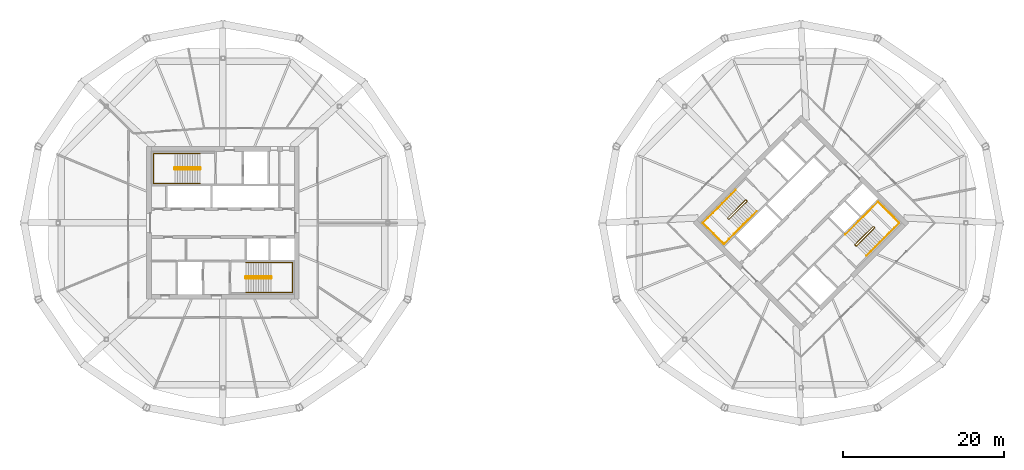
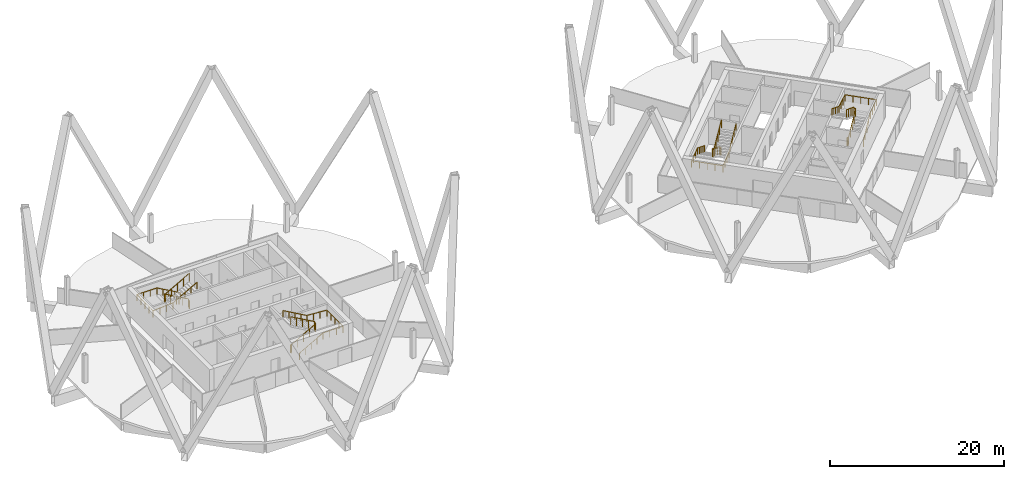
# One storey, part 10 of 10: 8 railings.
"""IFC4 building model written with IfcOpenShell, lengths in metres."""

from ifc_helpers import new_model, si_unit, direction, frame, origin, origin_2d, place, context, subcontext, project, spatial, circle, extrude, material, type_object, element, save


model = new_model("IFC4")

# Units and contexts
model_context = context("Model", 3, precision=1e-05, world=origin(), true_north=direction((0.0, 1.0)))
body_context = subcontext(model_context, "Body", "Model", "MODEL_VIEW")
ifc_project = project(units=[si_unit("LENGTHUNIT", "METRE"), si_unit("AREAUNIT", "SQUARE_METRE"), si_unit("VOLUMEUNIT", "CUBIC_METRE"), si_unit("PLANEANGLEUNIT", "RADIAN"), si_unit("MASSUNIT", "GRAM", prefix="KILO")], contexts=[model_context])

# Site, building, storey
site_placement = place(None, origin())
site = spatial("IfcSite", under=ifc_project, at=site_placement, CompositionType="ELEMENT")
building_placement = place(site_placement, origin())
building = spatial("IfcBuilding", under=site, at=building_placement, Name="Ogive Gate Towers", CompositionType="ELEMENT")
storey_placement = place(building_placement, frame((0.0, 0.0, 181.199951171875)))
storey = spatial("IfcBuildingStorey", under=building, at=storey_placement, Name="L43", CompositionType="ELEMENT", Elevation=181.199951171875)

# Railings
ifc_material = material(Name="Stainless steel", Category="steel")
railing_type_1 = type_object("IfcRailingType", Name="Stair guard 1100", PredefinedType="GUARDRAIL", material=ifc_material)
railing_1_placement = place(storey_placement, frame((-38.81494140625, 6.860107421875, 0.0)))
element("IfcRailing", 1, at=railing_1_placement, inside=storey, type_object=railing_type_1, Name="L43 ST1 stair guard 1", PredefinedType="GUARDRAIL", context=body_context, shape_type="SweptSolid", body=[
    extrude(circle(Radius=0.02392578125, at=origin_2d()), frame((0.0, 0.0, 1.076171875), z_axis=(0.0, -1.0, 0.0), x_axis=(1.0, 0.0, 0.0)), (0.0, 0.0, 1.0), 0.14501953125),
    extrude(circle(Radius=0.02392578125, at=origin_2d()), frame((0.0, -0.14501953125, 1.076171875), z_axis=(-0.186679794065, 0.726685247142, 0.661119660934), x_axis=(-0.968551454522, -0.24881334358, 0.0)), (0.0, 0.0, 1.0), 0.26806640625),
    extrude(circle(Radius=0.02392578125, at=origin_2d()), frame((-0.050048828125, 0.0498046875, 1.25341796875), z_axis=(-0.870572935281, 0.0, 0.492039393094), x_axis=(0.0, -1.0, 0.0)), (0.0, 0.0, 1.0), 3.602783203125),
    extrude(circle(Radius=0.02392578125, at=origin_2d()), frame((-3.1865234375, 0.0498046875, 3.02587890625), z_axis=(-0.707106781187, -0.707106781187, 0.0), x_axis=(0.707106781187, -0.707106781187, 0.0)), (0.0, 0.0, 1.0), 0.0703125),
    extrude(circle(Radius=0.02392578125, at=origin_2d()), frame((-3.236328125, 0.0, 3.02587890625), z_axis=(0.0, -1.0, 0.0), x_axis=(1.0, 0.0, 0.0)), (0.0, 0.0, 1.0), 0.14501953125),
    extrude(circle(Radius=0.02392578125, at=origin_2d()), frame((-3.236328125, -0.14501953125, 3.02587890625), z_axis=(0.260731885961, -0.262009983441, 0.929176868105), x_axis=(0.708833529934, 0.705375805398, 0.0)), (0.0, 0.0, 1.0), 0.19091796875),
    extrude(circle(Radius=0.02392578125, at=origin_2d()), frame((-3.1865234375, -0.195068359375, 3.20361328125), z_axis=(0.870572935281, 0.0, 0.492039393094), x_axis=(0.0, 1.0, 0.0)), (0.0, 0.0, 1.0), 3.602783203125),
    extrude(circle(Radius=0.02099609375, at=origin_2d()), origin(), (0.0, 0.0, 1.0), 1.052001953125),
    extrude(circle(Radius=0.02099609375, at=origin_2d()), frame((0.0, -0.14501953125, 0.0)), (0.0, 0.0, 1.0), 1.052001953125),
    extrude(circle(Radius=0.02099609375, at=origin_2d()), frame((-0.050048828125, 0.0498046875, 0.17724609375)), (0.0, 0.0, 1.0), 1.052001953125),
    extrude(circle(Radius=0.02099609375, at=origin_2d()), frame((-0.834228515625, 0.0498046875, 0.620361328125)), (0.0, 0.0, 1.0), 1.052001953125),
    extrude(circle(Radius=0.02099609375, at=origin_2d()), frame((-1.6181640625, 0.0498046875, 1.0634765625)), (0.0, 0.0, 1.0), 1.052001953125),
    extrude(circle(Radius=0.02099609375, at=origin_2d()), frame((-2.40234375, 0.0498046875, 1.5068359375)), (0.0, 0.0, 1.0), 1.052001953125),
    extrude(circle(Radius=0.02099609375, at=origin_2d()), frame((-3.1865234375, 0.0498046875, 1.949951171875)), (0.0, 0.0, 1.0), 1.052001953125),
    extrude(circle(Radius=0.02099609375, at=origin_2d()), frame((-3.236328125, 0.0, 1.949951171875)), (0.0, 0.0, 1.0), 1.052001953125),
    extrude(circle(Radius=0.02099609375, at=origin_2d()), frame((-3.236328125, -0.14501953125, 1.949951171875)), (0.0, 0.0, 1.0), 1.052001953125),
    extrude(circle(Radius=0.02099609375, at=origin_2d()), frame((-3.1865234375, -0.195068359375, 2.12744140625)), (0.0, 0.0, 1.0), 1.052001953125),
    extrude(circle(Radius=0.02099609375, at=origin_2d()), frame((-2.40234375, -0.195068359375, 2.570556640625)), (0.0, 0.0, 1.0), 1.052001953125),
    extrude(circle(Radius=0.02099609375, at=origin_2d()), frame((-1.6181640625, -0.195068359375, 3.013671875)), (0.0, 0.0, 1.0), 1.052001953125),
    extrude(circle(Radius=0.02099609375, at=origin_2d()), frame((-0.834228515625, -0.195068359375, 3.45703125)), (0.0, 0.0, 1.0), 1.052001953125),
    extrude(circle(Radius=0.02099609375, at=origin_2d()), frame((-0.050048828125, -0.195068359375, 3.900146484375)), (0.0, 0.0, 1.0), 1.052001953125),
])
railing_2_placement = place(storey_placement, frame((-33.18505859375, -6.860107421875, 0.0)))
element("IfcRailing", 2, at=railing_2_placement, inside=storey, type_object=railing_type_1, Name="L43 ST2 stair guard 1", PredefinedType="GUARDRAIL", context=body_context, shape_type="SweptSolid", body=[
    extrude(circle(Radius=0.02392578125, at=origin_2d()), frame((0.0, 0.0, 1.076171875), z_axis=(0.0, 1.0, 0.0), x_axis=(-1.0, 0.0, 0.0)), (0.0, 0.0, 1.0), 0.14501953125),
    extrude(circle(Radius=0.02392578125, at=origin_2d()), frame((0.0, 0.14501953125, 1.076171875), z_axis=(0.186679794065, -0.726685247142, 0.661119660934), x_axis=(0.968551454522, 0.24881334358, 0.0)), (0.0, 0.0, 1.0), 0.26806640625),
    extrude(circle(Radius=0.02392578125, at=origin_2d()), frame((0.050048828125, -0.0498046875, 1.25341796875), z_axis=(0.870572935281, 0.0, 0.492039393094), x_axis=(0.0, 1.0, 0.0)), (0.0, 0.0, 1.0), 3.602783203125),
    extrude(circle(Radius=0.02392578125, at=origin_2d()), frame((3.1865234375, -0.0498046875, 3.02587890625), z_axis=(0.707106781187, 0.707106781187, 0.0), x_axis=(-0.707106781187, 0.707106781187, 0.0)), (0.0, 0.0, 1.0), 0.0703125),
    extrude(circle(Radius=0.02392578125, at=origin_2d()), frame((3.236328125, 0.0, 3.02587890625), z_axis=(0.0, 1.0, 0.0), x_axis=(-1.0, 0.0, 0.0)), (0.0, 0.0, 1.0), 0.14501953125),
    extrude(circle(Radius=0.02392578125, at=origin_2d()), frame((3.236328125, 0.14501953125, 3.02587890625), z_axis=(-0.260731885961, 0.262009983441, 0.929176868105), x_axis=(-0.708833529934, -0.705375805398, 0.0)), (0.0, 0.0, 1.0), 0.19091796875),
    extrude(circle(Radius=0.02392578125, at=origin_2d()), frame((3.1865234375, 0.195068359375, 3.20361328125), z_axis=(-0.870572935281, 0.0, 0.492039393094), x_axis=(0.0, -1.0, 0.0)), (0.0, 0.0, 1.0), 3.602783203125),
    extrude(circle(Radius=0.02099609375, at=origin_2d()), origin(), (0.0, 0.0, 1.0), 1.052001953125),
    extrude(circle(Radius=0.02099609375, at=origin_2d()), frame((0.0, 0.14501953125, 0.0)), (0.0, 0.0, 1.0), 1.052001953125),
    extrude(circle(Radius=0.02099609375, at=origin_2d()), frame((0.050048828125, -0.0498046875, 0.17724609375)), (0.0, 0.0, 1.0), 1.052001953125),
    extrude(circle(Radius=0.02099609375, at=origin_2d()), frame((0.834228515625, -0.0498046875, 0.620361328125)), (0.0, 0.0, 1.0), 1.052001953125),
    extrude(circle(Radius=0.02099609375, at=origin_2d()), frame((1.6181640625, -0.0498046875, 1.0634765625)), (0.0, 0.0, 1.0), 1.052001953125),
    extrude(circle(Radius=0.02099609375, at=origin_2d()), frame((2.40234375, -0.0498046875, 1.5068359375)), (0.0, 0.0, 1.0), 1.052001953125),
    extrude(circle(Radius=0.02099609375, at=origin_2d()), frame((3.1865234375, -0.0498046875, 1.949951171875)), (0.0, 0.0, 1.0), 1.052001953125),
    extrude(circle(Radius=0.02099609375, at=origin_2d()), frame((3.236328125, 0.0, 1.949951171875)), (0.0, 0.0, 1.0), 1.052001953125),
    extrude(circle(Radius=0.02099609375, at=origin_2d()), frame((3.236328125, 0.14501953125, 1.949951171875)), (0.0, 0.0, 1.0), 1.052001953125),
    extrude(circle(Radius=0.02099609375, at=origin_2d()), frame((3.1865234375, 0.195068359375, 2.12744140625)), (0.0, 0.0, 1.0), 1.052001953125),
    extrude(circle(Radius=0.02099609375, at=origin_2d()), frame((2.40234375, 0.195068359375, 2.570556640625)), (0.0, 0.0, 1.0), 1.052001953125),
    extrude(circle(Radius=0.02099609375, at=origin_2d()), frame((1.6181640625, 0.195068359375, 3.013671875)), (0.0, 0.0, 1.0), 1.052001953125),
    extrude(circle(Radius=0.02099609375, at=origin_2d()), frame((0.834228515625, 0.195068359375, 3.45703125)), (0.0, 0.0, 1.0), 1.052001953125),
    extrude(circle(Radius=0.02099609375, at=origin_2d()), frame((0.050048828125, 0.195068359375, 3.900146484375)), (0.0, 0.0, 1.0), 1.052001953125),
])
railing_3_placement = place(storey_placement, frame((29.15869140625, 2.8603515625, 0.0)))
element("IfcRailing", 3, at=railing_3_placement, inside=storey, type_object=railing_type_1, Name="L43 ST1 stair guard 1", PredefinedType="GUARDRAIL", context=body_context, shape_type="SweptSolid", body=[
    extrude(circle(Radius=0.02392578125, at=origin_2d()), frame((0.0, 0.0, 1.076171875), z_axis=(0.707106781187, -0.707106781187, 0.0), x_axis=(0.707106781187, 0.707106781187, 0.0)), (0.0, 0.0, 1.0), 0.14501953125),
    extrude(circle(Radius=0.02392578125, at=origin_2d()), frame((0.1025390625, -0.1025390625, 1.076171875), z_axis=(-0.645571447971, 0.382425963537, 0.661050594114), x_axis=(-0.509669330572, -0.860370369942, 0.0)), (0.0, 0.0, 1.0), 0.26806640625),
    extrude(circle(Radius=0.02392578125, at=origin_2d()), frame((-0.070556640625, 0.0, 1.25341796875), z_axis=(-0.61558473135, -0.61558473135, 0.49204763698), x_axis=(0.707106781187, -0.707106781187, 0.0)), (0.0, 0.0, 1.0), 3.602783203125),
    extrude(circle(Radius=0.02392578125, at=origin_2d()), frame((-2.288330078125, -2.2177734375, 3.02587890625), z_axis=(0.0, -1.0, 0.0), x_axis=(1.0, 0.0, 0.0)), (0.0, 0.0, 1.0), 0.07080078125),
    extrude(circle(Radius=0.02392578125, at=origin_2d()), frame((-2.288330078125, -2.28857421875, 3.02587890625), z_axis=(0.707106781187, -0.707106781187, 0.0), x_axis=(0.707106781187, 0.707106781187, 0.0)), (0.0, 0.0, 1.0), 0.14501953125),
    extrude(circle(Radius=0.02392578125, at=origin_2d()), frame((-2.185791015625, -2.39111328125, 3.02587890625), z_axis=(0.369406379806, 0.0, 0.92926795197), x_axis=(0.0, 1.0, 0.0)), (0.0, 0.0, 1.0), 0.19091796875),
    extrude(circle(Radius=0.02392578125, at=origin_2d()), frame((-2.115234375, -2.39111328125, 3.20361328125), z_axis=(0.61558473135, 0.61558473135, 0.49204763698), x_axis=(-0.707106781187, 0.707106781187, 0.0)), (0.0, 0.0, 1.0), 3.602783203125),
    extrude(circle(Radius=0.02099609375, at=origin_2d()), origin(), (0.0, 0.0, 1.0), 1.052001953125),
    extrude(circle(Radius=0.02099609375, at=origin_2d()), frame((0.1025390625, -0.1025390625, 0.0)), (0.0, 0.0, 1.0), 1.052001953125),
    extrude(circle(Radius=0.02099609375, at=origin_2d()), frame((-0.070556640625, 0.0, 0.17724609375)), (0.0, 0.0, 1.0), 1.052001953125),
    extrude(circle(Radius=0.02099609375, at=origin_2d()), frame((-0.625, -0.554443359375, 0.620361328125)), (0.0, 0.0, 1.0), 1.052001953125),
    extrude(circle(Radius=0.02099609375, at=origin_2d()), frame((-1.179443359375, -1.10888671875, 1.0634765625)), (0.0, 0.0, 1.0), 1.052001953125),
    extrude(circle(Radius=0.02099609375, at=origin_2d()), frame((-1.73388671875, -1.663330078125, 1.5068359375)), (0.0, 0.0, 1.0), 1.052001953125),
    extrude(circle(Radius=0.02099609375, at=origin_2d()), frame((-2.288330078125, -2.2177734375, 1.949951171875)), (0.0, 0.0, 1.0), 1.052001953125),
    extrude(circle(Radius=0.02099609375, at=origin_2d()), frame((-2.288330078125, -2.28857421875, 1.949951171875)), (0.0, 0.0, 1.0), 1.052001953125),
    extrude(circle(Radius=0.02099609375, at=origin_2d()), frame((-2.185791015625, -2.39111328125, 1.949951171875)), (0.0, 0.0, 1.0), 1.052001953125),
    extrude(circle(Radius=0.02099609375, at=origin_2d()), frame((-2.115234375, -2.39111328125, 2.12744140625)), (0.0, 0.0, 1.0), 1.052001953125),
    extrude(circle(Radius=0.02099609375, at=origin_2d()), frame((-1.560791015625, -1.836669921875, 2.570556640625)), (0.0, 0.0, 1.0), 1.052001953125),
    extrude(circle(Radius=0.02099609375, at=origin_2d()), frame((-1.00634765625, -1.2822265625, 3.013671875)), (0.0, 0.0, 1.0), 1.052001953125),
    extrude(circle(Radius=0.02099609375, at=origin_2d()), frame((-0.451904296875, -0.727783203125, 3.45703125)), (0.0, 0.0, 1.0), 1.052001953125),
    extrude(circle(Radius=0.02099609375, at=origin_2d()), frame((0.1025390625, -0.17333984375, 3.900146484375)), (0.0, 0.0, 1.0), 1.052001953125),
])
railing_4_placement = place(storey_placement, frame((42.84130859375, -2.8603515625, 0.0)))
element("IfcRailing", 4, at=railing_4_placement, inside=storey, type_object=railing_type_1, Name="L43 ST2 stair guard 1", PredefinedType="GUARDRAIL", context=body_context, shape_type="SweptSolid", body=[
    extrude(circle(Radius=0.02392578125, at=origin_2d()), frame((0.0, 0.0, 1.076171875), z_axis=(-0.707106781187, 0.707106781187, 0.0), x_axis=(-0.707106781187, -0.707106781187, 0.0)), (0.0, 0.0, 1.0), 0.14501953125),
    extrude(circle(Radius=0.02392578125, at=origin_2d()), frame((-0.1025390625, 0.1025390625, 1.076171875), z_axis=(0.645571447971, -0.382425963537, 0.661050594114), x_axis=(0.509669330572, 0.860370369942, 0.0)), (0.0, 0.0, 1.0), 0.26806640625),
    extrude(circle(Radius=0.02392578125, at=origin_2d()), frame((0.070556640625, 0.0, 1.25341796875), z_axis=(0.61558473135, 0.61558473135, 0.49204763698), x_axis=(-0.707106781187, 0.707106781187, 0.0)), (0.0, 0.0, 1.0), 3.602783203125),
    extrude(circle(Radius=0.02392578125, at=origin_2d()), frame((2.288330078125, 2.2177734375, 3.02587890625), z_axis=(0.0, 1.0, 0.0), x_axis=(-1.0, 0.0, 0.0)), (0.0, 0.0, 1.0), 0.07080078125),
    extrude(circle(Radius=0.02392578125, at=origin_2d()), frame((2.288330078125, 2.28857421875, 3.02587890625), z_axis=(-0.707106781187, 0.707106781187, 0.0), x_axis=(-0.707106781187, -0.707106781187, 0.0)), (0.0, 0.0, 1.0), 0.14501953125),
    extrude(circle(Radius=0.02392578125, at=origin_2d()), frame((2.185791015625, 2.39111328125, 3.02587890625), z_axis=(-0.369406379806, 0.0, 0.92926795197), x_axis=(0.0, -1.0, 0.0)), (0.0, 0.0, 1.0), 0.19091796875),
    extrude(circle(Radius=0.02392578125, at=origin_2d()), frame((2.115234375, 2.39111328125, 3.20361328125), z_axis=(-0.61558473135, -0.61558473135, 0.49204763698), x_axis=(0.707106781187, -0.707106781187, 0.0)), (0.0, 0.0, 1.0), 3.602783203125),
    extrude(circle(Radius=0.02099609375, at=origin_2d()), origin(), (0.0, 0.0, 1.0), 1.052001953125),
    extrude(circle(Radius=0.02099609375, at=origin_2d()), frame((-0.1025390625, 0.1025390625, 0.0)), (0.0, 0.0, 1.0), 1.052001953125),
    extrude(circle(Radius=0.02099609375, at=origin_2d()), frame((0.070556640625, 0.0, 0.17724609375)), (0.0, 0.0, 1.0), 1.052001953125),
    extrude(circle(Radius=0.02099609375, at=origin_2d()), frame((0.625, 0.554443359375, 0.620361328125)), (0.0, 0.0, 1.0), 1.052001953125),
    extrude(circle(Radius=0.02099609375, at=origin_2d()), frame((1.179443359375, 1.10888671875, 1.0634765625)), (0.0, 0.0, 1.0), 1.052001953125),
    extrude(circle(Radius=0.02099609375, at=origin_2d()), frame((1.73388671875, 1.663330078125, 1.5068359375)), (0.0, 0.0, 1.0), 1.052001953125),
    extrude(circle(Radius=0.02099609375, at=origin_2d()), frame((2.288330078125, 2.2177734375, 1.949951171875)), (0.0, 0.0, 1.0), 1.052001953125),
    extrude(circle(Radius=0.02099609375, at=origin_2d()), frame((2.288330078125, 2.28857421875, 1.949951171875)), (0.0, 0.0, 1.0), 1.052001953125),
    extrude(circle(Radius=0.02099609375, at=origin_2d()), frame((2.185791015625, 2.39111328125, 1.949951171875)), (0.0, 0.0, 1.0), 1.052001953125),
    extrude(circle(Radius=0.02099609375, at=origin_2d()), frame((2.115234375, 2.39111328125, 2.12744140625)), (0.0, 0.0, 1.0), 1.052001953125),
    extrude(circle(Radius=0.02099609375, at=origin_2d()), frame((1.560791015625, 1.836669921875, 2.570556640625)), (0.0, 0.0, 1.0), 1.052001953125),
    extrude(circle(Radius=0.02099609375, at=origin_2d()), frame((1.00634765625, 1.2822265625, 3.013671875)), (0.0, 0.0, 1.0), 1.052001953125),
    extrude(circle(Radius=0.02099609375, at=origin_2d()), frame((0.451904296875, 0.727783203125, 3.45703125)), (0.0, 0.0, 1.0), 1.052001953125),
    extrude(circle(Radius=0.02099609375, at=origin_2d()), frame((-0.1025390625, 0.17333984375, 3.900146484375)), (0.0, 0.0, 1.0), 1.052001953125),
])
railing_type_2 = type_object("IfcRailingType", Name="Stair handrail 900", PredefinedType="HANDRAIL", material=ifc_material)
railing_5_placement = place(storey_placement, frame((-38.864990234375, 8.64990234375, 0.17724609375)))
element("IfcRailing", 5, at=railing_5_placement, inside=storey, type_object=railing_type_2, Name="L43 ST1 stair handrail 1", PredefinedType="HANDRAIL", context=body_context, shape_type="SweptSolid", body=[
    extrude(circle(Radius=0.02392578125, at=origin_2d()), frame((0.0, 0.0, 0.8759765625), z_axis=(-0.870572935281, 0.0, 0.492039393094), x_axis=(0.0, -1.0, 0.0)), (0.0, 0.0, 1.0), 3.602783203125),
    extrude(circle(Radius=0.02392578125, at=origin_2d()), frame((-3.136474609375, 0.0, 2.6484375), z_axis=(-1.0, 0.0, 0.0), x_axis=(0.0, -1.0, 0.0)), (0.0, 0.0, 1.0), 2.6484375),
    extrude(circle(Radius=0.02392578125, at=origin_2d()), frame((-5.784912109375, 0.0, 2.6484375), z_axis=(0.0, -1.0, 0.0), x_axis=(1.0, 0.0, 0.0)), (0.0, 0.0, 1.0), 3.724853515625),
    extrude(circle(Radius=0.02392578125, at=origin_2d()), frame((-5.784912109375, -3.724853515625, 2.6484375), z_axis=(0.997761899551, 0.0, 0.06686697096), x_axis=(0.0, 1.0, 0.0)), (0.0, 0.0, 1.0), 2.654296875),
    extrude(circle(Radius=0.02392578125, at=origin_2d()), frame((-3.136474609375, -3.724853515625, 2.826171875), z_axis=(0.870572935281, 0.0, 0.492039393094), x_axis=(0.0, 1.0, 0.0)), (0.0, 0.0, 1.0), 3.602783203125),
    extrude(circle(Radius=0.02099609375, at=origin_2d()), origin(), (0.0, 0.0, 1.0), 0.851806640625),
    extrude(circle(Radius=0.02099609375, at=origin_2d()), frame((-0.7841796875, 0.0, 0.443115234375)), (0.0, 0.0, 1.0), 0.851806640625),
    extrude(circle(Radius=0.02099609375, at=origin_2d()), frame((-1.568359375, 0.0, 0.88623046875)), (0.0, 0.0, 1.0), 0.851806640625),
    extrude(circle(Radius=0.02099609375, at=origin_2d()), frame((-2.352294921875, 0.0, 1.32958984375)), (0.0, 0.0, 1.0), 0.851806640625),
    extrude(circle(Radius=0.02099609375, at=origin_2d()), frame((-3.136474609375, 0.0, 1.772705078125)), (0.0, 0.0, 1.0), 0.851806640625),
    extrude(circle(Radius=0.02099609375, at=origin_2d()), frame((-4.019287109375, 0.0, 1.772705078125)), (0.0, 0.0, 1.0), 0.851806640625),
    extrude(circle(Radius=0.02099609375, at=origin_2d()), frame((-4.902099609375, 0.0, 1.772705078125)), (0.0, 0.0, 1.0), 0.851806640625),
    extrude(circle(Radius=0.02099609375, at=origin_2d()), frame((-5.784912109375, 0.0, 1.772705078125)), (0.0, 0.0, 1.0), 0.851806640625),
    extrude(circle(Radius=0.02099609375, at=origin_2d()), frame((-5.784912109375, -0.93115234375, 1.772705078125)), (0.0, 0.0, 1.0), 0.851806640625),
    extrude(circle(Radius=0.02099609375, at=origin_2d()), frame((-5.784912109375, -1.8623046875, 1.772705078125)), (0.0, 0.0, 1.0), 0.851806640625),
    extrude(circle(Radius=0.02099609375, at=origin_2d()), frame((-5.784912109375, -2.793701171875, 1.772705078125)), (0.0, 0.0, 1.0), 0.851806640625),
    extrude(circle(Radius=0.02099609375, at=origin_2d()), frame((-5.784912109375, -3.724853515625, 1.772705078125)), (0.0, 0.0, 1.0), 0.851806640625),
    extrude(circle(Radius=0.02099609375, at=origin_2d()), frame((-4.902099609375, -3.724853515625, 1.831787109375)), (0.0, 0.0, 1.0), 0.851806640625),
    extrude(circle(Radius=0.02099609375, at=origin_2d()), frame((-4.019287109375, -3.724853515625, 1.89111328125)), (0.0, 0.0, 1.0), 0.851806640625),
    extrude(circle(Radius=0.02099609375, at=origin_2d()), frame((-3.136474609375, -3.724853515625, 1.9501953125)), (0.0, 0.0, 1.0), 0.851806640625),
    extrude(circle(Radius=0.02099609375, at=origin_2d()), frame((-2.352294921875, -3.724853515625, 2.393310546875)), (0.0, 0.0, 1.0), 0.851806640625),
    extrude(circle(Radius=0.02099609375, at=origin_2d()), frame((-1.568359375, -3.724853515625, 2.83642578125)), (0.0, 0.0, 1.0), 0.851806640625),
    extrude(circle(Radius=0.02099609375, at=origin_2d()), frame((-0.7841796875, -3.724853515625, 3.27978515625)), (0.0, 0.0, 1.0), 0.851806640625),
    extrude(circle(Radius=0.02099609375, at=origin_2d()), frame((0.0, -3.724853515625, 3.722900390625)), (0.0, 0.0, 1.0), 0.851806640625),
])
railing_6_placement = place(storey_placement, frame((-33.135009765625, -8.64990234375, 0.17724609375)))
element("IfcRailing", 6, at=railing_6_placement, inside=storey, type_object=railing_type_2, Name="L43 ST2 stair handrail 1", PredefinedType="HANDRAIL", context=body_context, shape_type="SweptSolid", body=[
    extrude(circle(Radius=0.02392578125, at=origin_2d()), frame((0.0, 0.0, 0.8759765625), z_axis=(0.870572935281, 0.0, 0.492039393094), x_axis=(0.0, 1.0, 0.0)), (0.0, 0.0, 1.0), 3.602783203125),
    extrude(circle(Radius=0.02392578125, at=origin_2d()), frame((3.136474609375, 0.0, 2.6484375), z_axis=(1.0, 0.0, 0.0), x_axis=(0.0, 1.0, 0.0)), (0.0, 0.0, 1.0), 2.6484375),
    extrude(circle(Radius=0.02392578125, at=origin_2d()), frame((5.784912109375, 0.0, 2.6484375), z_axis=(0.0, 1.0, 0.0), x_axis=(-1.0, 0.0, 0.0)), (0.0, 0.0, 1.0), 3.724853515625),
    extrude(circle(Radius=0.02392578125, at=origin_2d()), frame((5.784912109375, 3.724853515625, 2.6484375), z_axis=(-0.997761899551, 0.0, 0.06686697096), x_axis=(0.0, -1.0, 0.0)), (0.0, 0.0, 1.0), 2.654296875),
    extrude(circle(Radius=0.02392578125, at=origin_2d()), frame((3.136474609375, 3.724853515625, 2.826171875), z_axis=(-0.870572935281, 0.0, 0.492039393094), x_axis=(0.0, -1.0, 0.0)), (0.0, 0.0, 1.0), 3.602783203125),
    extrude(circle(Radius=0.02099609375, at=origin_2d()), origin(), (0.0, 0.0, 1.0), 0.851806640625),
    extrude(circle(Radius=0.02099609375, at=origin_2d()), frame((0.7841796875, 0.0, 0.443115234375)), (0.0, 0.0, 1.0), 0.851806640625),
    extrude(circle(Radius=0.02099609375, at=origin_2d()), frame((1.568359375, 0.0, 0.88623046875)), (0.0, 0.0, 1.0), 0.851806640625),
    extrude(circle(Radius=0.02099609375, at=origin_2d()), frame((2.352294921875, 0.0, 1.32958984375)), (0.0, 0.0, 1.0), 0.851806640625),
    extrude(circle(Radius=0.02099609375, at=origin_2d()), frame((3.136474609375, 0.0, 1.772705078125)), (0.0, 0.0, 1.0), 0.851806640625),
    extrude(circle(Radius=0.02099609375, at=origin_2d()), frame((4.019287109375, 0.0, 1.772705078125)), (0.0, 0.0, 1.0), 0.851806640625),
    extrude(circle(Radius=0.02099609375, at=origin_2d()), frame((4.902099609375, 0.0, 1.772705078125)), (0.0, 0.0, 1.0), 0.851806640625),
    extrude(circle(Radius=0.02099609375, at=origin_2d()), frame((5.784912109375, 0.0, 1.772705078125)), (0.0, 0.0, 1.0), 0.851806640625),
    extrude(circle(Radius=0.02099609375, at=origin_2d()), frame((5.784912109375, 0.93115234375, 1.772705078125)), (0.0, 0.0, 1.0), 0.851806640625),
    extrude(circle(Radius=0.02099609375, at=origin_2d()), frame((5.784912109375, 1.8623046875, 1.772705078125)), (0.0, 0.0, 1.0), 0.851806640625),
    extrude(circle(Radius=0.02099609375, at=origin_2d()), frame((5.784912109375, 2.793701171875, 1.772705078125)), (0.0, 0.0, 1.0), 0.851806640625),
    extrude(circle(Radius=0.02099609375, at=origin_2d()), frame((5.784912109375, 3.724853515625, 1.772705078125)), (0.0, 0.0, 1.0), 0.851806640625),
    extrude(circle(Radius=0.02099609375, at=origin_2d()), frame((4.902099609375, 3.724853515625, 1.831787109375)), (0.0, 0.0, 1.0), 0.851806640625),
    extrude(circle(Radius=0.02099609375, at=origin_2d()), frame((4.019287109375, 3.724853515625, 1.89111328125)), (0.0, 0.0, 1.0), 0.851806640625),
    extrude(circle(Radius=0.02099609375, at=origin_2d()), frame((3.136474609375, 3.724853515625, 1.9501953125)), (0.0, 0.0, 1.0), 0.851806640625),
    extrude(circle(Radius=0.02099609375, at=origin_2d()), frame((2.352294921875, 3.724853515625, 2.393310546875)), (0.0, 0.0, 1.0), 0.851806640625),
    extrude(circle(Radius=0.02099609375, at=origin_2d()), frame((1.568359375, 3.724853515625, 2.83642578125)), (0.0, 0.0, 1.0), 0.851806640625),
    extrude(circle(Radius=0.02099609375, at=origin_2d()), frame((0.7841796875, 3.724853515625, 3.27978515625)), (0.0, 0.0, 1.0), 0.851806640625),
    extrude(circle(Radius=0.02099609375, at=origin_2d()), frame((0.0, 3.724853515625, 3.722900390625)), (0.0, 0.0, 1.0), 0.851806640625),
])
railing_7_placement = place(storey_placement, frame((27.857666015625, 4.090576171875, 0.17724609375)))
element("IfcRailing", 7, at=railing_7_placement, inside=storey, type_object=railing_type_2, Name="L43 ST1 stair handrail 1", PredefinedType="HANDRAIL", context=body_context, shape_type="SweptSolid", body=[
    extrude(circle(Radius=0.02392578125, at=origin_2d()), frame((0.0, 0.0, 0.8759765625), z_axis=(-0.61558473135, -0.61558473135, 0.49204763698), x_axis=(0.707106781187, -0.707106781187, 0.0)), (0.0, 0.0, 1.0), 3.602783203125),
    extrude(circle(Radius=0.02392578125, at=origin_2d()), frame((-2.2177734375, -2.2177734375, 2.6484375), z_axis=(-0.707106781187, -0.707106781187, 0.0), x_axis=(0.707106781187, -0.707106781187, 0.0)), (0.0, 0.0, 1.0), 2.6484375),
    extrude(circle(Radius=0.02392578125, at=origin_2d()), frame((-4.090576171875, -4.090576171875, 2.6484375), z_axis=(0.707106781187, -0.707106781187, 0.0), x_axis=(0.707106781187, 0.707106781187, 0.0)), (0.0, 0.0, 1.0), 3.72509765625),
    extrude(circle(Radius=0.02392578125, at=origin_2d()), frame((-1.45654296875, -6.724609375, 2.6484375), z_axis=(0.705478551472, 0.705570518432, 0.066859980044), x_axis=(-0.70715286629, 0.70706069308, 0.0)), (0.0, 0.0, 1.0), 2.654541015625),
    extrude(circle(Radius=0.02392578125, at=origin_2d()), frame((0.416259765625, -4.8515625, 2.826171875), z_axis=(0.615610411033, 0.615542642384, 0.4920681632), x_axis=(-0.70706785752, 0.70714570271, 0.0)), (0.0, 0.0, 1.0), 3.6025390625),
    extrude(circle(Radius=0.02099609375, at=origin_2d()), origin(), (0.0, 0.0, 1.0), 0.851806640625),
    extrude(circle(Radius=0.02099609375, at=origin_2d()), frame((-0.554443359375, -0.554443359375, 0.443115234375)), (0.0, 0.0, 1.0), 0.851806640625),
    extrude(circle(Radius=0.02099609375, at=origin_2d()), frame((-1.10888671875, -1.10888671875, 0.88623046875)), (0.0, 0.0, 1.0), 0.851806640625),
    extrude(circle(Radius=0.02099609375, at=origin_2d()), frame((-1.663330078125, -1.663330078125, 1.32958984375)), (0.0, 0.0, 1.0), 0.851806640625),
    extrude(circle(Radius=0.02099609375, at=origin_2d()), frame((-2.2177734375, -2.2177734375, 1.772705078125)), (0.0, 0.0, 1.0), 0.851806640625),
    extrude(circle(Radius=0.02099609375, at=origin_2d()), frame((-2.842041015625, -2.842041015625, 1.772705078125)), (0.0, 0.0, 1.0), 0.851806640625),
    extrude(circle(Radius=0.02099609375, at=origin_2d()), frame((-3.46630859375, -3.46630859375, 1.772705078125)), (0.0, 0.0, 1.0), 0.851806640625),
    extrude(circle(Radius=0.02099609375, at=origin_2d()), frame((-4.090576171875, -4.090576171875, 1.772705078125)), (0.0, 0.0, 1.0), 0.851806640625),
    extrude(circle(Radius=0.02099609375, at=origin_2d()), frame((-3.43212890625, -4.7490234375, 1.772705078125)), (0.0, 0.0, 1.0), 0.851806640625),
    extrude(circle(Radius=0.02099609375, at=origin_2d()), frame((-2.7734375, -5.40771484375, 1.772705078125)), (0.0, 0.0, 1.0), 0.851806640625),
    extrude(circle(Radius=0.02099609375, at=origin_2d()), frame((-2.114990234375, -6.066162109375, 1.772705078125)), (0.0, 0.0, 1.0), 0.851806640625),
    extrude(circle(Radius=0.02099609375, at=origin_2d()), frame((-1.45654296875, -6.724609375, 1.772705078125)), (0.0, 0.0, 1.0), 0.851806640625),
    extrude(circle(Radius=0.02099609375, at=origin_2d()), frame((-0.832275390625, -6.100341796875, 1.831787109375)), (0.0, 0.0, 1.0), 0.851806640625),
    extrude(circle(Radius=0.02099609375, at=origin_2d()), frame((-0.2080078125, -5.475830078125, 1.89111328125)), (0.0, 0.0, 1.0), 0.851806640625),
    extrude(circle(Radius=0.02099609375, at=origin_2d()), frame((0.416259765625, -4.8515625, 1.9501953125)), (0.0, 0.0, 1.0), 0.851806640625),
    extrude(circle(Radius=0.02099609375, at=origin_2d()), frame((0.970703125, -4.297119140625, 2.393310546875)), (0.0, 0.0, 1.0), 0.851806640625),
    extrude(circle(Radius=0.02099609375, at=origin_2d()), frame((1.525146484375, -3.74267578125, 2.83642578125)), (0.0, 0.0, 1.0), 0.851806640625),
    extrude(circle(Radius=0.02099609375, at=origin_2d()), frame((2.07958984375, -3.1884765625, 3.27978515625)), (0.0, 0.0, 1.0), 0.851806640625),
    extrude(circle(Radius=0.02099609375, at=origin_2d()), frame((2.634033203125, -2.634033203125, 3.722900390625)), (0.0, 0.0, 1.0), 0.851806640625),
])
railing_8_placement = place(storey_placement, frame((44.142333984375, -4.090576171875, 0.17724609375)))
element("IfcRailing", 8, at=railing_8_placement, inside=storey, type_object=railing_type_2, Name="L43 ST2 stair handrail 1", PredefinedType="HANDRAIL", context=body_context, shape_type="SweptSolid", body=[
    extrude(circle(Radius=0.02392578125, at=origin_2d()), frame((0.0, 0.0, 0.8759765625), z_axis=(0.61558473135, 0.61558473135, 0.49204763698), x_axis=(-0.707106781187, 0.707106781187, 0.0)), (0.0, 0.0, 1.0), 3.602783203125),
    extrude(circle(Radius=0.02392578125, at=origin_2d()), frame((2.2177734375, 2.2177734375, 2.6484375), z_axis=(0.707106781187, 0.707106781187, 0.0), x_axis=(-0.707106781187, 0.707106781187, 0.0)), (0.0, 0.0, 1.0), 2.6484375),
    extrude(circle(Radius=0.02392578125, at=origin_2d()), frame((4.090576171875, 4.090576171875, 2.6484375), z_axis=(-0.707106781187, 0.707106781187, 0.0), x_axis=(-0.707106781187, -0.707106781187, 0.0)), (0.0, 0.0, 1.0), 3.72509765625),
    extrude(circle(Radius=0.02392578125, at=origin_2d()), frame((1.45654296875, 6.724609375, 2.6484375), z_axis=(-0.705478551472, -0.705570518432, 0.066859980044), x_axis=(0.70715286629, -0.70706069308, 0.0)), (0.0, 0.0, 1.0), 2.654541015625),
    extrude(circle(Radius=0.02392578125, at=origin_2d()), frame((-0.416259765625, 4.8515625, 2.826171875), z_axis=(-0.615610411033, -0.615542642384, 0.4920681632), x_axis=(0.70706785752, -0.70714570271, 0.0)), (0.0, 0.0, 1.0), 3.6025390625),
    extrude(circle(Radius=0.02099609375, at=origin_2d()), origin(), (0.0, 0.0, 1.0), 0.851806640625),
    extrude(circle(Radius=0.02099609375, at=origin_2d()), frame((0.554443359375, 0.554443359375, 0.443115234375)), (0.0, 0.0, 1.0), 0.851806640625),
    extrude(circle(Radius=0.02099609375, at=origin_2d()), frame((1.10888671875, 1.10888671875, 0.88623046875)), (0.0, 0.0, 1.0), 0.851806640625),
    extrude(circle(Radius=0.02099609375, at=origin_2d()), frame((1.663330078125, 1.663330078125, 1.32958984375)), (0.0, 0.0, 1.0), 0.851806640625),
    extrude(circle(Radius=0.02099609375, at=origin_2d()), frame((2.2177734375, 2.2177734375, 1.772705078125)), (0.0, 0.0, 1.0), 0.851806640625),
    extrude(circle(Radius=0.02099609375, at=origin_2d()), frame((2.842041015625, 2.842041015625, 1.772705078125)), (0.0, 0.0, 1.0), 0.851806640625),
    extrude(circle(Radius=0.02099609375, at=origin_2d()), frame((3.46630859375, 3.46630859375, 1.772705078125)), (0.0, 0.0, 1.0), 0.851806640625),
    extrude(circle(Radius=0.02099609375, at=origin_2d()), frame((4.090576171875, 4.090576171875, 1.772705078125)), (0.0, 0.0, 1.0), 0.851806640625),
    extrude(circle(Radius=0.02099609375, at=origin_2d()), frame((3.43212890625, 4.7490234375, 1.772705078125)), (0.0, 0.0, 1.0), 0.851806640625),
    extrude(circle(Radius=0.02099609375, at=origin_2d()), frame((2.7734375, 5.40771484375, 1.772705078125)), (0.0, 0.0, 1.0), 0.851806640625),
    extrude(circle(Radius=0.02099609375, at=origin_2d()), frame((2.114990234375, 6.066162109375, 1.772705078125)), (0.0, 0.0, 1.0), 0.851806640625),
    extrude(circle(Radius=0.02099609375, at=origin_2d()), frame((1.45654296875, 6.724609375, 1.772705078125)), (0.0, 0.0, 1.0), 0.851806640625),
    extrude(circle(Radius=0.02099609375, at=origin_2d()), frame((0.832275390625, 6.100341796875, 1.831787109375)), (0.0, 0.0, 1.0), 0.851806640625),
    extrude(circle(Radius=0.02099609375, at=origin_2d()), frame((0.2080078125, 5.475830078125, 1.89111328125)), (0.0, 0.0, 1.0), 0.851806640625),
    extrude(circle(Radius=0.02099609375, at=origin_2d()), frame((-0.416259765625, 4.8515625, 1.9501953125)), (0.0, 0.0, 1.0), 0.851806640625),
    extrude(circle(Radius=0.02099609375, at=origin_2d()), frame((-0.970703125, 4.297119140625, 2.393310546875)), (0.0, 0.0, 1.0), 0.851806640625),
    extrude(circle(Radius=0.02099609375, at=origin_2d()), frame((-1.525146484375, 3.74267578125, 2.83642578125)), (0.0, 0.0, 1.0), 0.851806640625),
    extrude(circle(Radius=0.02099609375, at=origin_2d()), frame((-2.07958984375, 3.1884765625, 3.27978515625)), (0.0, 0.0, 1.0), 0.851806640625),
    extrude(circle(Radius=0.02099609375, at=origin_2d()), frame((-2.634033203125, 2.634033203125, 3.722900390625)), (0.0, 0.0, 1.0), 0.851806640625),
])

save(model, "model.ifc")
